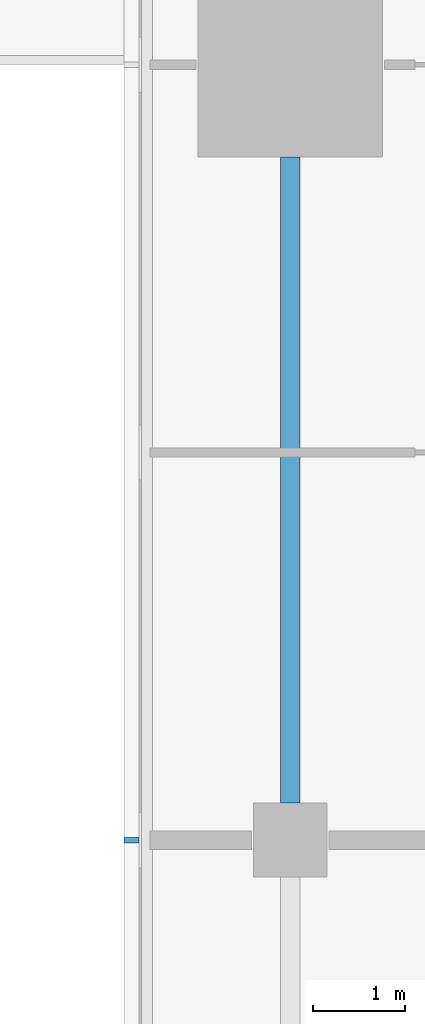
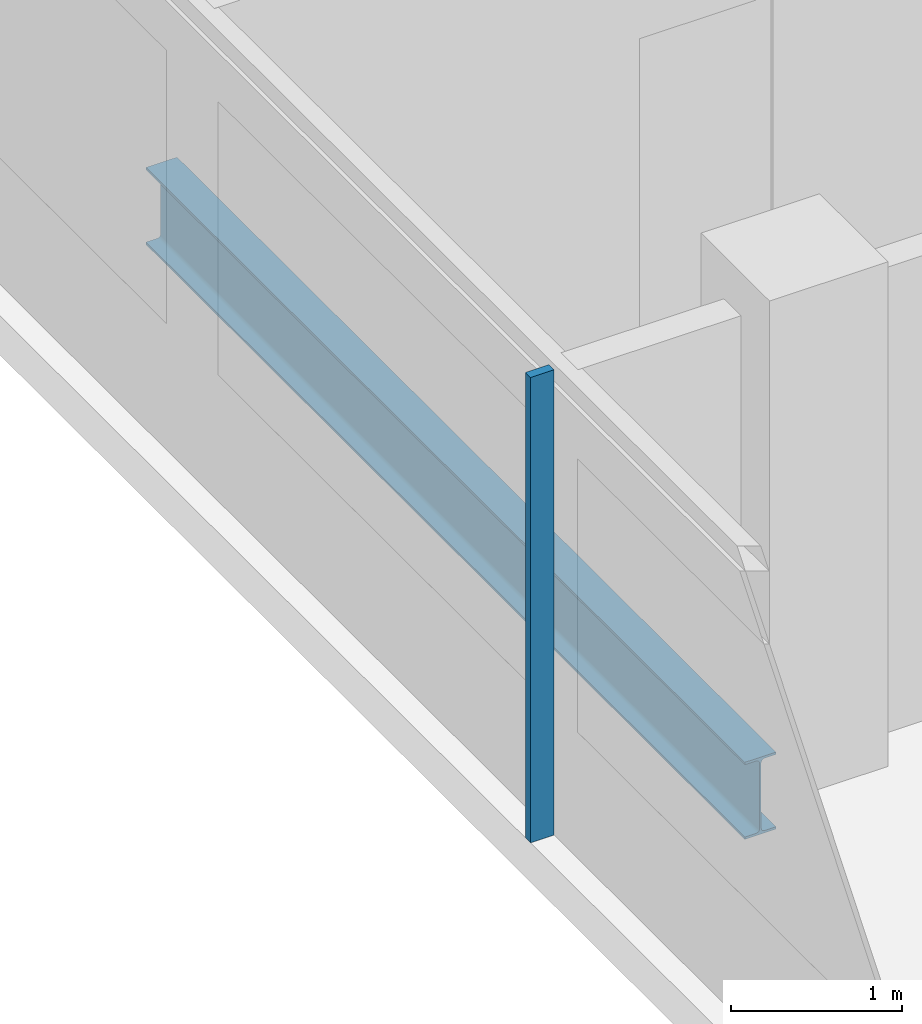
# One storey, part 4 of 29: 1 beam, 1 member, 1 element without a shape of its own.
"""IFC4 building model written with IfcOpenShell, lengths in metres."""

from ifc_helpers import new_model, si_unit, direction, frame, origin, origin_2d, place, context, subcontext, project, spatial, rectangle, i_section, extrude, material, material_profile, profile_set, type_object, element, aggregate, save


model = new_model("IFC4")

# Units and contexts
model_context = context("Model", 3, precision=1e-05, world=origin(), true_north=direction((0.0, 1.0)))
body_context = subcontext(model_context, "Body", "Model", "MODEL_VIEW")
ifc_project = project(units=[si_unit("LENGTHUNIT", "METRE"), si_unit("AREAUNIT", "SQUARE_METRE"), si_unit("VOLUMEUNIT", "CUBIC_METRE"), si_unit("PLANEANGLEUNIT", "RADIAN"), si_unit("MASSUNIT", "GRAM", prefix="KILO")], contexts=[model_context])

# Site, building, storey
site_placement = place(None, origin())
site = spatial("IfcSite", under=ifc_project, at=site_placement, CompositionType="ELEMENT")
building_placement = place(site_placement, origin())
building = spatial("IfcBuilding", under=site, at=building_placement, Name="Saffron Gate Tower", CompositionType="ELEMENT")
storey_placement = place(building_placement, frame((0.0, 0.0, 113.25)))
storey = spatial("IfcBuildingStorey", under=building, at=storey_placement, Name="L26", CompositionType="ELEMENT", Elevation=113.25)

# Beam
ifc_material_1 = material(Name="Structural steel S355", Category="steel")
ifc_material_profile_1 = material_profile(ifc_material_1, i_section(OverallWidth=0.2099609375, OverallDepth=0.550048828125, WebThickness=0.010986328125, FlangeThickness=0.01708984375, FilletRadius=0.02392578125, at=origin_2d()))
ifc_profile_set_1 = profile_set([ifc_material_profile_1], Name="Structural steel S355")
beam_type = type_object("IfcBeamType", Name="B13 IPE 550", PredefinedType="SPANDREL", material=ifc_profile_set_1)
beam_placement = place(storey_placement, frame((49.800048828125, 57.39990234375, -0.554931640625), z_axis=(0.0, 1.0, 0.0), x_axis=(-1.0, 0.0, 0.0)))
element("IfcBeam", 1, at=beam_placement, inside=storey, type_object=beam_type, Name="B13 SPANDREL BEAM", PredefinedType="SPANDREL", context=body_context, shape_type="SweptSolid", body=[
    extrude(i_section(OverallWidth=0.2099609375, OverallDepth=0.550048828125, WebThickness=0.010986328125, FlangeThickness=0.01708984375, FilletRadius=0.02392578125, at=origin_2d()), origin(), (0.0, 0.0, 1.0), 7.0),
])

# Curtain wall, member
ifc_material_2 = material(Name="Aluminium, bronze anodised", Category="aluminium")
curtain_wall_type = type_object("IfcCurtainWallType", Name="CWS2 curtain wall side facades", PredefinedType="NOTDEFINED", material=ifc_material_2)
curtain_wall_placement = place(storey_placement, origin())
curtain_wall = element("IfcCurtainWall", 2, at=curtain_wall_placement, inside=storey, type_object=curtain_wall_type, Name="CWS2 run 10", PredefinedType="NOTDEFINED")
ifc_material_profile_2 = material_profile(ifc_material_2, rectangle(XDim=0.159912109375, YDim=0.06005859375, at=origin_2d()))
ifc_profile_set_2 = profile_set([ifc_material_profile_2], Name="Aluminium, bronze anodised")
member_type = type_object("IfcMemberType", Name="CWS2 mullion 60x160", PredefinedType="MULLION", material=ifc_profile_set_2)
member_placement = place(storey_placement, frame((48.080078125, 57.0, 0.0), z_axis=(0.0, 0.0, 1.0), x_axis=(1.0, 0.0, 0.0)))
member = element("IfcMember", 3, at=member_placement, type_object=member_type, Name="CWS2 mullion 3", PredefinedType="MULLION", context=body_context, shape_type="SweptSolid", body=[
    extrude(rectangle(XDim=0.159912109375, YDim=0.06005859375, at=origin_2d()), origin(), (0.0, 0.0, 1.0), 3.320068359375),
])
aggregate(curtain_wall, [member])

save(model, "model.ifc")
